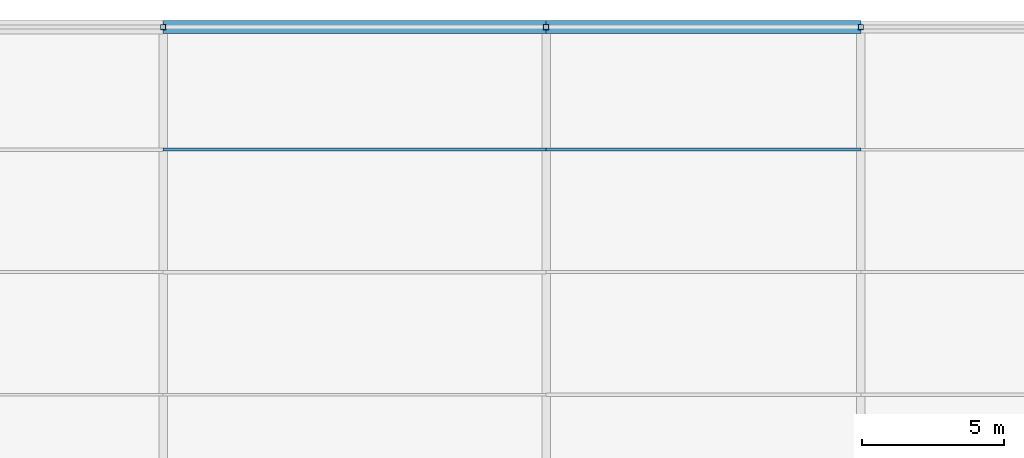
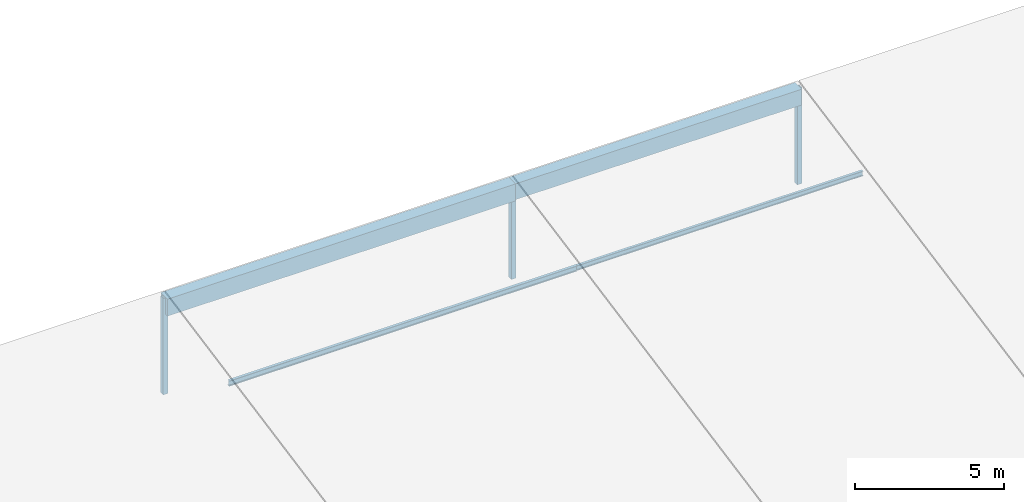
# One storey, part 43 of 80: 5 members, 2 beams.
"""IFC4 building model written with IfcOpenShell, lengths in metres."""

from ifc_helpers import new_model, si_unit, direction, frame, origin, origin_2d, place, context, subcontext, project, spatial, rectangle, hollow_rectangle, i_section, extrude, material, material_profile, profile_set, type_object, element, save


model = new_model("IFC4")

# Units and contexts
model_context = context("Model", 3, precision=1e-05, world=origin(), true_north=direction((0.0, 1.0)))
body_context = subcontext(model_context, "Body", "Model", "MODEL_VIEW")
ifc_project = project(units=[si_unit("LENGTHUNIT", "METRE"), si_unit("AREAUNIT", "SQUARE_METRE"), si_unit("VOLUMEUNIT", "CUBIC_METRE"), si_unit("PLANEANGLEUNIT", "RADIAN"), si_unit("MASSUNIT", "GRAM", prefix="KILO")], contexts=[model_context])

# Site, building, storey
site_placement = place(None, origin())
site = spatial("IfcSite", under=ifc_project, at=site_placement, CompositionType="ELEMENT")
building_placement = place(site_placement, origin())
building = spatial("IfcBuilding", under=site, at=building_placement, Name="Fikremerkos Civic Library", CompositionType="ELEMENT")
storey_placement = place(building_placement, frame((0.0, 0.0, 9.89990234375)))
storey = spatial("IfcBuildingStorey", under=building, at=storey_placement, Name="L02", CompositionType="ELEMENT", Elevation=9.89990234375)

# Members
ifc_material_1 = material(Name="Steel S355", Category="steel")
ifc_material_profile_1 = material_profile(ifc_material_1, hollow_rectangle(XDim=0.179931640625, YDim=0.179931640625, WallThickness=0.010009765625, at=origin_2d()), Name="SHS 180x180x10")
ifc_profile_set_1 = profile_set([ifc_material_profile_1], Name="Steel S355")
member_type_1 = type_object("IfcMemberType", Name="Frame post PST-02 SHS 180x180x10", PredefinedType="POST", material=ifc_profile_set_1)
for number, where, z_axis, x_axis, name in (
    (1, (100.199951171875, 117.60009765625, 0.0), (0.0, 0.0, 1.0), (1.0, 0.0, 0.0), "North-light roof post PST-02 X=100.2"),
    (2, (113.699951171875, 117.60009765625, 0.0), (0.0, 0.0, 1.0), (1.0, 0.0, 0.0), "North-light roof post PST-02 X=113.7"),
    (3, (124.800048828125, 117.60009765625, 0.0), (0.0, 0.0, 1.0), (1.0, 0.0, 0.0), "North-light roof post PST-02 X=124.8"),
):
    element("IfcMember", number, at=place(storey_placement, frame(where, z_axis=z_axis, x_axis=x_axis)), inside=storey, type_object=member_type_1, Name=name, PredefinedType="POST", context=body_context, shape_type="SweptSolid", body=[
        extrude(hollow_rectangle(XDim=0.179931640625, YDim=0.179931640625, WallThickness=0.010009765625, at=origin_2d()), origin(), (0.0, 0.0, 1.0), 3.94873046875),
    ])

# Beams
ifc_material_2 = material(Name="Concrete C40/50", Category="concrete")
ifc_material_profile_2 = material_profile(ifc_material_2, rectangle(XDim=0.449951171875, YDim=0.699951171875, at=origin_2d()), Name="RC 450x700")
ifc_profile_set_2 = profile_set([ifc_material_profile_2], Name="Concrete C40/50")
beam_type_1 = type_object("IfcBeamType", Name="Primary girder BM-06 RC 450x700", PredefinedType="BEAM", material=ifc_profile_set_2)
beam_1_placement = place(storey_placement, frame((100.199951171875, 117.60009765625, 3.628662109375), z_axis=(1.0, 0.0, 0.0), x_axis=(0.0, 1.0, 0.0)))
element("IfcBeam", 4, at=beam_1_placement, inside=storey, type_object=beam_type_1, Name="Primary girder BM-06 L02 grid N", PredefinedType="BEAM", context=body_context, shape_type="SweptSolid", body=[
    extrude(rectangle(XDim=0.449951171875, YDim=0.699951171875, at=origin_2d()), origin(), (0.0, 0.0, 1.0), 13.5),
])
ifc_material_profile_3 = material_profile(ifc_material_2, rectangle(XDim=0.449951171875, YDim=0.64990234375, at=origin_2d()), Name="RC 450x650")
ifc_profile_set_3 = profile_set([ifc_material_profile_3], Name="Concrete C40/50")
beam_type_2 = type_object("IfcBeamType", Name="Primary girder BM-07 RC 450x650", PredefinedType="BEAM", material=ifc_profile_set_3)
beam_2_placement = place(storey_placement, frame((113.699951171875, 117.60009765625, 3.65380859375), z_axis=(1.0, 0.0, 0.0), x_axis=(0.0, 1.0, 0.0)))
element("IfcBeam", 5, at=beam_2_placement, inside=storey, type_object=beam_type_2, Name="Primary girder BM-07 L02 grid N", PredefinedType="BEAM", context=body_context, shape_type="SweptSolid", body=[
    extrude(rectangle(XDim=0.449951171875, YDim=0.64990234375, at=origin_2d()), origin(), (0.0, 0.0, 1.0), 11.10009765625),
])

# Members
ifc_material_profile_4 = material_profile(ifc_material_1, i_section(OverallWidth=0.110107421875, OverallDepth=0.219970703125, WebThickness=0.005859375, FlangeThickness=0.00927734375, FilletRadius=0.011962890625, at=origin_2d()), Name="IPE 220")
ifc_profile_set_4 = profile_set([ifc_material_profile_4], Name="Steel S355")
member_type_2 = type_object("IfcMemberType", Name="Roof purlin PUR-02 IPE 220", PredefinedType="PURLIN", material=ifc_profile_set_4)
member_1_placement = place(storey_placement, frame((100.199951171875, 113.280029296875, 3.025146484375), z_axis=(1.0, 0.0, 0.0), x_axis=(0.0, 1.0, 0.0)))
element("IfcMember", 6, at=member_1_placement, inside=storey, type_object=member_type_2, Name="Roof purlin PUR-02 V2 bay 3.4", PredefinedType="PURLIN", context=body_context, shape_type="SweptSolid", body=[
    extrude(i_section(OverallWidth=0.110107421875, OverallDepth=0.219970703125, WebThickness=0.005859375, FlangeThickness=0.00927734375, FilletRadius=0.011962890625, at=origin_2d()), origin(), (0.0, 0.0, 1.0), 13.5),
])
ifc_material_profile_5 = material_profile(ifc_material_1, i_section(OverallWidth=0.10009765625, OverallDepth=0.199951171875, WebThickness=0.005615234375, FlangeThickness=0.008544921875, FilletRadius=0.011962890625, at=origin_2d()), Name="IPE 200")
ifc_profile_set_5 = profile_set([ifc_material_profile_5], Name="Steel S355")
member_type_3 = type_object("IfcMemberType", Name="Roof purlin PUR-03 IPE 200", PredefinedType="PURLIN", material=ifc_profile_set_5)
member_2_placement = place(storey_placement, frame((113.699951171875, 113.280029296875, 3.03515625), z_axis=(1.0, 0.0, 0.0), x_axis=(0.0, 1.0, 0.0)))
element("IfcMember", 7, at=member_2_placement, inside=storey, type_object=member_type_3, Name="Roof purlin PUR-03 V2 bay 4.4", PredefinedType="PURLIN", context=body_context, shape_type="SweptSolid", body=[
    extrude(i_section(OverallWidth=0.10009765625, OverallDepth=0.199951171875, WebThickness=0.005615234375, FlangeThickness=0.008544921875, FilletRadius=0.011962890625, at=origin_2d()), origin(), (0.0, 0.0, 1.0), 11.10009765625),
])

save(model, "model.ifc")
